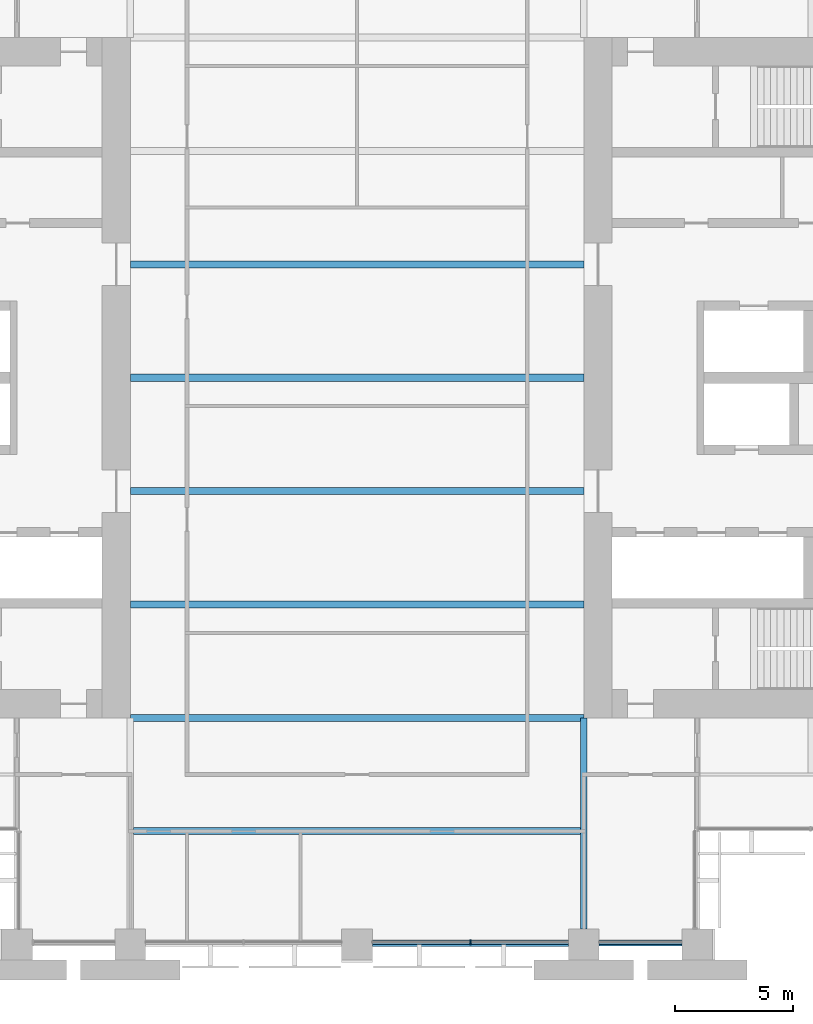
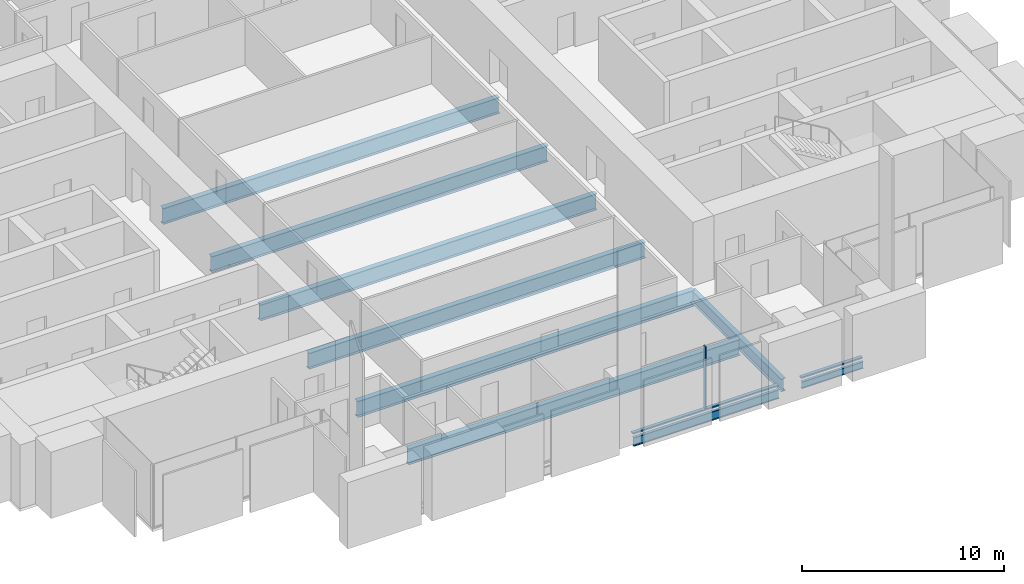
# One storey, part 3 of 14: 9 beams, 3 members, 1 element without a shape of its own.
"""IFC4 building model written with IfcOpenShell, lengths in metres."""

from ifc_helpers import new_model, si_unit, direction, frame, origin, origin_2d, place, context, subcontext, project, spatial, rectangle, i_section, extrude, material, material_profile, profile_set, type_object, element, aggregate, save


model = new_model("IFC4")

# Units and contexts
model_context = context("Model", 3, precision=1e-05, world=origin(), true_north=direction((0.0, 1.0)))
body_context = subcontext(model_context, "Body", "Model", "MODEL_VIEW")
ifc_project = project(units=[si_unit("LENGTHUNIT", "METRE"), si_unit("AREAUNIT", "SQUARE_METRE"), si_unit("VOLUMEUNIT", "CUBIC_METRE"), si_unit("PLANEANGLEUNIT", "RADIAN"), si_unit("MASSUNIT", "GRAM", prefix="KILO")], contexts=[model_context])

# Site, building, storey
site_placement = place(None, origin())
site = spatial("IfcSite", under=ifc_project, at=site_placement, CompositionType="ELEMENT")
building_placement = place(site_placement, origin())
building = spatial("IfcBuilding", under=site, at=building_placement, Name="Baori Bourse Tower", CompositionType="ELEMENT")
storey_placement = place(building_placement, frame((0.0, 0.0, 63.0)))
storey = spatial("IfcBuildingStorey", under=building, at=storey_placement, Name="L13", CompositionType="ELEMENT", Elevation=63.0)

# Curtain wall, members
ifc_material_1 = material(Name="Pale anodised aluminium", Category="aluminium")
curtain_wall_type = type_object("IfcCurtainWallType", Name="CW1 Curtain wall", PredefinedType="NOTDEFINED", material=ifc_material_1)
curtain_wall_placement = place(storey_placement, origin())
curtain_wall = element("IfcCurtainWall", 1, at=curtain_wall_placement, inside=storey, type_object=curtain_wall_type, Name="Curtain wall CW1 L13 11", PredefinedType="NOTDEFINED")
ifc_material_2 = material(Name="Pale anodised aluminium", Category="aluminium")
ifc_material_profile_1 = material_profile(ifc_material_2, rectangle(XDim=0.199951171875, YDim=0.06005859375, at=origin_2d()), Name="Mullion 60x200")
ifc_profile_set_1 = profile_set([ifc_material_profile_1], Name="Pale anodised aluminium")
member_type_1 = type_object("IfcMemberType", Name="CW1 Curtain wall mullion", PredefinedType="MULLION", material=ifc_profile_set_1)
member_1_placement = place(storey_placement, frame((33.60009765625, 0.10009765625, 0.080078125), z_axis=(0.0, 0.0, 1.0), x_axis=(0.0, 1.0, 0.0)))
member_1 = element("IfcMember", 2, at=member_1_placement, type_object=member_type_1, Name="Curtain wall CW1 mullion", PredefinedType="MULLION", context=body_context, shape_type="SweptSolid", body=[
    extrude(rectangle(XDim=0.199951171875, YDim=0.06005859375, at=origin_2d()), origin(), (0.0, 0.0, 1.0), 3.760009765625),
])
ifc_material_3 = material(Name="Pale anodised aluminium", Category="aluminium")
ifc_material_profile_2 = material_profile(ifc_material_3, rectangle(XDim=0.199951171875, YDim=0.080078125, at=origin_2d()), Name="Transom 80x200")
ifc_profile_set_2 = profile_set([ifc_material_profile_2], Name="Pale anodised aluminium")
member_type_2 = type_object("IfcMemberType", Name="CW1 Curtain wall transom", PredefinedType="USERDEFINED", material=ifc_profile_set_2)
member_2_placement = place(storey_placement, frame((29.449951171875, 0.10009765625, 0.0400390625), z_axis=(1.0, 0.0, 0.0), x_axis=(0.0, 1.0, 0.0)))
member_2 = element("IfcMember", 3, at=member_2_placement, type_object=member_type_2, Name="Curtain wall CW1 sill rail", ObjectType="TRANSOM", PredefinedType="USERDEFINED", context=body_context, shape_type="SweptSolid", body=[
    extrude(rectangle(XDim=0.199951171875, YDim=0.080078125, at=origin_2d()), origin(), (0.0, 0.0, 1.0), 8.300048828125),
])
member_3_placement = place(storey_placement, frame((39.050048828125, 0.10009765625, 0.0400390625), z_axis=(1.0, 0.0, 0.0), x_axis=(0.0, 1.0, 0.0)))
member_3 = element("IfcMember", 4, at=member_3_placement, type_object=member_type_2, Name="Curtain wall CW1 sill rail", ObjectType="TRANSOM", PredefinedType="USERDEFINED", context=body_context, shape_type="SweptSolid", body=[
    extrude(rectangle(XDim=0.199951171875, YDim=0.080078125, at=origin_2d()), origin(), (0.0, 0.0, 1.0), 3.5),
])
aggregate(curtain_wall, [member_2, member_1, member_3])

# Beams
ifc_material_4 = material(Name="Steel A992 Gr 50", Category="steel")
ifc_material_profile_3 = material_profile(ifc_material_4, i_section(OverallWidth=0.140380859375, OverallDepth=0.40380859375, WebThickness=0.007080078125, FlangeThickness=0.01123046875, at=origin_2d()), Name="W16x31")
ifc_profile_set_3 = profile_set([ifc_material_profile_3], Name="Steel A992 Gr 50")
beam_type_1 = type_object("IfcBeamType", Name="Edge beam W16x31", PredefinedType="BEAM", material=ifc_profile_set_3)
beam_1_placement = place(storey_placement, frame((39.050048828125, 0.0, -0.36181640625), z_axis=(1.0, 0.0, 0.0), x_axis=(0.0, 1.0, 0.0)))
element("IfcBeam", 5, at=beam_1_placement, inside=storey, type_object=beam_type_1, Name="Edge beam L13", PredefinedType="BEAM", context=body_context, shape_type="SweptSolid", body=[
    extrude(i_section(OverallWidth=0.140380859375, OverallDepth=0.40380859375, WebThickness=0.007080078125, FlangeThickness=0.01123046875, at=origin_2d()), origin(), (0.0, 0.0, 1.0), 3.5),
])
ifc_material_5 = material(Name="Steel A992 Gr 50", Category="steel")
ifc_material_profile_4 = material_profile(ifc_material_5, i_section(OverallWidth=0.1650390625, OverallDepth=0.52587890625, WebThickness=0.0087890625, FlangeThickness=0.011474609375, at=origin_2d()), Name="W21x44")
ifc_profile_set_4 = profile_set([ifc_material_profile_4], Name="Steel A992 Gr 50")
beam_type_2 = type_object("IfcBeamType", Name="Edge beam W21x44", PredefinedType="BEAM", material=ifc_profile_set_4)
beam_2_placement = place(storey_placement, frame((29.449951171875, 0.0, -0.4228515625), z_axis=(1.0, 0.0, 0.0), x_axis=(0.0, 1.0, 0.0)))
element("IfcBeam", 6, at=beam_2_placement, inside=storey, type_object=beam_type_2, Name="Edge beam L13", PredefinedType="BEAM", context=body_context, shape_type="SweptSolid", body=[
    extrude(i_section(OverallWidth=0.1650390625, OverallDepth=0.52587890625, WebThickness=0.0087890625, FlangeThickness=0.011474609375, at=origin_2d()), origin(), (0.0, 0.0, 1.0), 8.300048828125),
])
ifc_material_6 = material(Name="Steel A992 Gr 50", Category="steel")
ifc_material_profile_5 = material_profile(ifc_material_6, i_section(OverallWidth=0.2998046875, OverallDepth=0.97021484375, WebThickness=0.01611328125, FlangeThickness=0.02099609375, at=origin_2d()), Name="W40x149")
ifc_profile_set_5 = profile_set([ifc_material_profile_5], Name="Steel A992 Gr 50")
beam_type_3 = type_object("IfcBeamType", Name="Floor beam W40x149", PredefinedType="BEAM", material=ifc_profile_set_5)
beam_3_placement = place(storey_placement, frame((19.333251953125, 4.800048828125, -0.64501953125), z_axis=(1.0, 0.0, 0.0), x_axis=(0.0, 1.0, 0.0)))
element("IfcBeam", 7, at=beam_3_placement, inside=storey, type_object=beam_type_3, Name="Floor beam L13", PredefinedType="BEAM", context=body_context, shape_type="SweptSolid", body=[
    extrude(i_section(OverallWidth=0.2998046875, OverallDepth=0.97021484375, WebThickness=0.01611328125, FlangeThickness=0.02099609375, at=origin_2d()), origin(), (0.0, 0.0, 1.0), 18.933349609375),
])
for number, where, z_axis, x_axis, name in (
    (8, (19.199951171875, 9.60009765625, -0.64501953125), (1.0, 0.0, 0.0), (0.0, 1.0, 0.0), "Floor beam L13"),
    (9, (19.199951171875, 14.39990234375, -0.64501953125), (1.0, 0.0, 0.0), (0.0, 1.0, 0.0), "Floor beam L13"),
    (10, (19.199951171875, 19.199951171875, -0.64501953125), (1.0, 0.0, 0.0), (0.0, 1.0, 0.0), "Floor beam L13"),
    (11, (19.199951171875, 24.0, -0.64501953125), (1.0, 0.0, 0.0), (0.0, 1.0, 0.0), "Floor beam L13"),
    (12, (19.199951171875, 28.800048828125, -0.64501953125), (1.0, 0.0, 0.0), (0.0, 1.0, 0.0), "Floor beam L13"),
):
    element("IfcBeam", number, at=place(storey_placement, frame(where, z_axis=z_axis, x_axis=x_axis)), inside=storey, type_object=beam_type_3, Name=name, PredefinedType="BEAM", context=body_context, shape_type="SweptSolid", body=[
        extrude(i_section(OverallWidth=0.2998046875, OverallDepth=0.97021484375, WebThickness=0.01611328125, FlangeThickness=0.02099609375, at=origin_2d()), origin(), (0.0, 0.0, 1.0), 19.199951171875),
    ])
ifc_material_7 = material(Name="Steel A992 Gr 50", Category="steel")
ifc_material_profile_6 = material_profile(ifc_material_7, i_section(OverallWidth=0.2666015625, OverallDepth=0.7568359375, WebThickness=0.013916015625, FlangeThickness=0.019287109375, at=origin_2d()), Name="W30x108")
ifc_profile_set_6 = profile_set([ifc_material_profile_6], Name="Steel A992 Gr 50")
beam_type_4 = type_object("IfcBeamType", Name="Girder W30x108", PredefinedType="BEAM", material=ifc_profile_set_6)
beam_4_placement = place(storey_placement, frame((38.39990234375, 0.64990234375, -0.53857421875), z_axis=(0.0, 1.0, 0.0), x_axis=(-1.0, 0.0, 0.0)))
element("IfcBeam", 13, at=beam_4_placement, inside=storey, type_object=beam_type_4, Name="Girder L13", PredefinedType="BEAM", context=body_context, shape_type="SweptSolid", body=[
    extrude(i_section(OverallWidth=0.2666015625, OverallDepth=0.7568359375, WebThickness=0.013916015625, FlangeThickness=0.019287109375, at=origin_2d()), origin(), (0.0, 0.0, 1.0), 8.9501953125),
])

save(model, "model.ifc")
